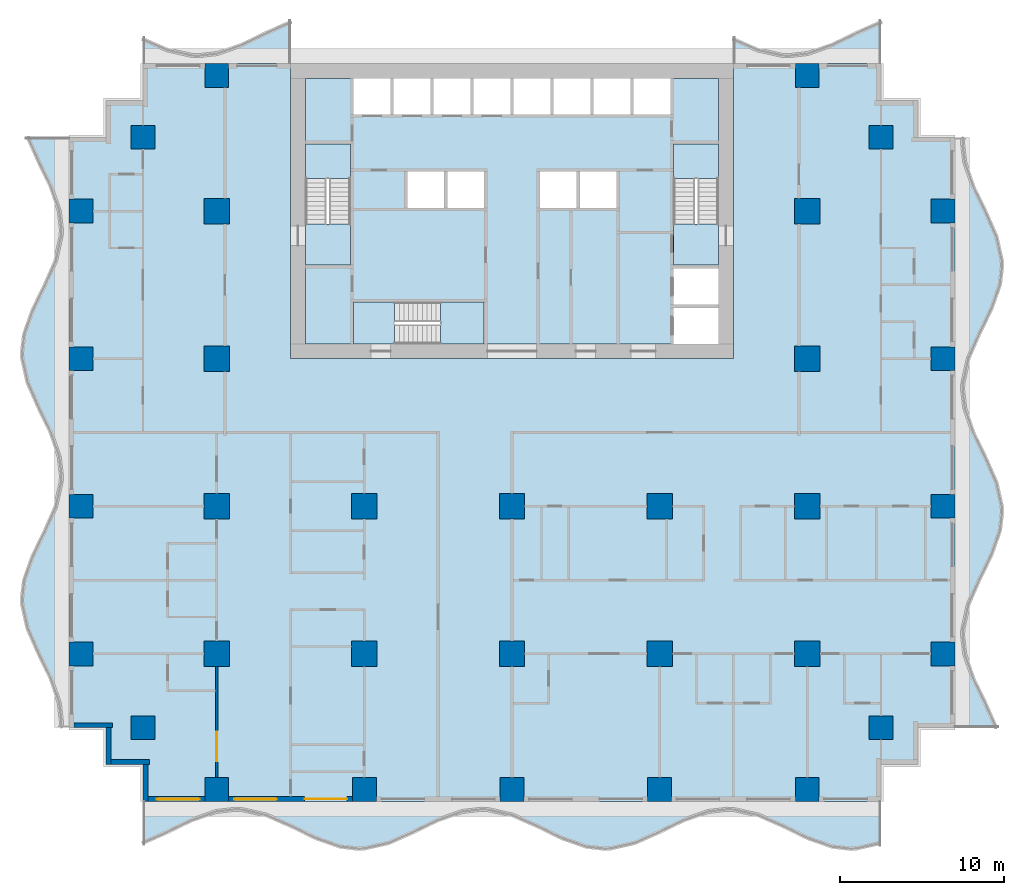
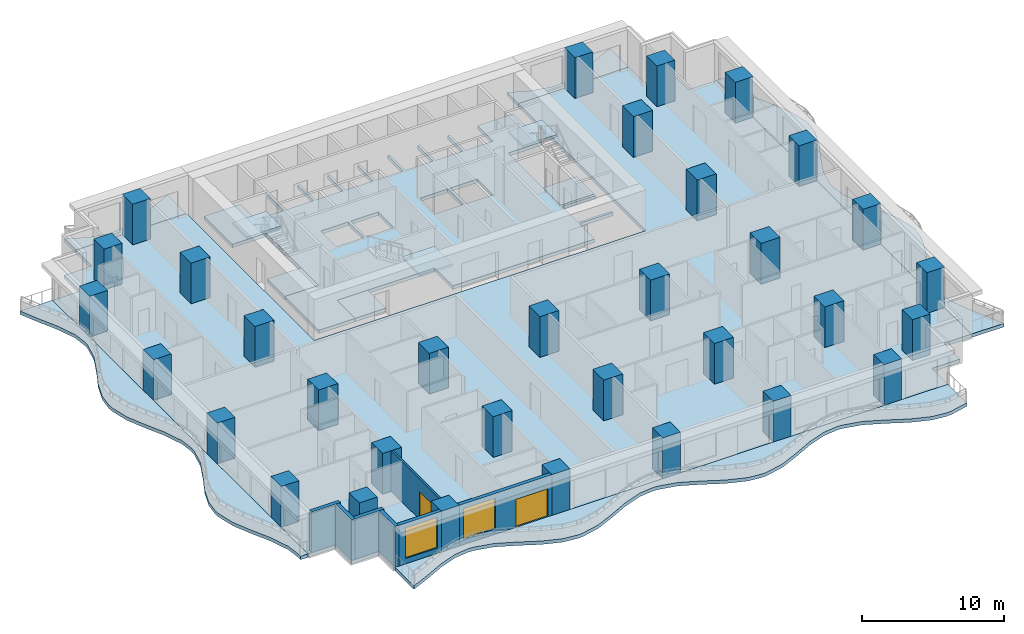
# One storey, part 1 of 14: 33 columns, 13 slabs, 7 walls, 2 doors, 2 windows, 4 openings, 3 elements without a shape of their own.
"""IFC4 building model written with IfcOpenShell, lengths in metres."""

import ifcopenshell
import ifcopenshell.guid

model = None  # the IFC model being written
_history = None  # IfcOwnerHistory: only IFC2X3 demands one
_inside = {}  # id of a spatial element -> (the spatial element, [elements in it])
_under = {}  # id of a project, library or spatial element -> (it, [spatial elements below it])
_declared = {}  # id of a project -> (the project, [libraries it declares])
_typed = {}  # id of a type object -> (the type object, [elements of that type])
_made_of = {}  # id of a material, layer set ... -> (it, [elements and type objects made of it])


def new_model(schema):
    """Start an empty IFC model of exactly this schema.

    Asked for "IFC4X3", IfcOpenShell would pick the latest addendum, in which some entities
    have other attributes; the version numbers below select the first issue.
    IFC2X3 requires an IfcOwnerHistory on every rooted entity: one is made here for all.
    """
    global model, _history
    if schema == "IFC4X3":
        model = ifcopenshell.file(schema_version=(4, 3, 0, 0))
    else:
        model = ifcopenshell.file(schema=schema)
    _inside.clear()
    _under.clear()
    _declared.clear()
    _typed.clear()
    _made_of.clear()
    _history = None
    if model.schema == "IFC2X3":
        org = make("IfcOrganization", Name="unknown")
        user = make(
            "IfcPersonAndOrganization",
            ThePerson=make("IfcPerson", FamilyName="unknown"),
            TheOrganization=org,
        )
        app = make(
            "IfcApplication",
            ApplicationDeveloper=org,
            Version="unknown",
            ApplicationFullName="unknown",
            ApplicationIdentifier="unknown",
        )
        _history = make(
            "IfcOwnerHistory",
            OwningUser=user,
            OwningApplication=app,
            ChangeAction="ADDED",
            CreationDate=0,
        )
    return model


def make(cls, **values):
    """One entity of the class cls with the attributes given. An attribute that is None is left unset."""
    return model.create_entity(
        cls, **{name: value for name, value in values.items() if value is not None}
    )


def rooted(cls, **values):
    """An entity with a GlobalId (a new one), such as an element, a storey or a relation."""
    return make(cls, GlobalId=ifcopenshell.guid.new(), OwnerHistory=_history, **values)


def si_unit(unit_type, name, prefix=None):
    """IfcSIUnit, for example si_unit("LENGTHUNIT", "METRE", prefix="MILLI")."""
    return make("IfcSIUnit", UnitType=unit_type, Prefix=prefix, Name=name)


def assignment(units):
    """IfcUnitAssignment: the units of a project."""
    return None if units is None else make("IfcUnitAssignment", Units=units)


def point(xyz):
    """IfcCartesianPoint."""
    return None if xyz is None else make("IfcCartesianPoint", Coordinates=xyz)


def direction(xyz):
    """IfcDirection."""
    return None if xyz is None else make("IfcDirection", DirectionRatios=xyz)


def frame(location, z_axis=None, x_axis=None):
    """IfcAxis2Placement3D, a coordinate frame: its origin and axes. An axis left out is left unset."""
    return make(
        "IfcAxis2Placement3D",
        Location=point(location),
        Axis=direction(z_axis),
        RefDirection=direction(x_axis),
    )


def frame_2d(location, x_axis=None):
    """IfcAxis2Placement2D, a coordinate frame in the plane: its origin and x axis."""
    return make(
        "IfcAxis2Placement2D", Location=point(location), RefDirection=direction(x_axis)
    )


def origin():
    """The frame at (0, 0, 0) with its axes left unset."""
    return frame((0.0, 0.0, 0.0))


def origin_2d():
    """The frame at (0, 0) in the plane with its x axis left unset."""
    return frame_2d((0.0, 0.0))


def place(relative_to, where):
    """IfcLocalPlacement: puts the frame where relative to a parent placement (None: the world)."""
    return make(
        "IfcLocalPlacement", PlacementRelTo=relative_to, RelativePlacement=where
    )


def context(
    kind, dimensions, precision=None, world=None, true_north=None, identifier=None
):
    """IfcGeometricRepresentationContext, for example the 3D "Model" context."""
    return make(
        "IfcGeometricRepresentationContext",
        ContextIdentifier=identifier,
        ContextType=kind,
        CoordinateSpaceDimension=dimensions,
        Precision=precision,
        WorldCoordinateSystem=world,
        TrueNorth=true_north,
    )


def subcontext(parent, identifier, kind, view, scale=None):
    """IfcGeometricRepresentationSubContext, for example "Body" below "Model"."""
    return make(
        "IfcGeometricRepresentationSubContext",
        ContextIdentifier=identifier,
        ContextType=kind,
        ParentContext=parent,
        TargetScale=scale,
        TargetView=view,
    )


def project(units=None, contexts=None):
    """IfcProject with its units and contexts."""
    return rooted(
        "IfcProject",
        Name="project",
        RepresentationContexts=contexts,
        UnitsInContext=assignment(units),
    )


def spatial(cls, under=None, at=None, **own):
    """A site, building, storey or space (cls), placed at a placement, below another one or the project."""
    s = rooted(cls, ObjectPlacement=at, **own)
    if under is not None:
        _under.setdefault(under.id(), (under, []))[1].append(s)
    return s


def polyline(points):
    """IfcPolyline through the points."""
    return make("IfcPolyline", Points=[point(p) for p in points])


def profile(cls, at=None, kind="AREA", **sizes):
    """A parametric profile (cls). Its sizes go by their IFC names, for example OverallWidth=200.0."""
    return make(cls, ProfileType=kind, Position=at, **sizes)


def rectangle(**sizes):
    """IfcRectangleProfileDef."""
    return profile("IfcRectangleProfileDef", **sizes)


def outline(outer, holes=None, kind="AREA"):
    """IfcArbitraryClosedProfileDef: a profile drawn as a closed curve; with holes, ...WithVoids."""
    if holes is None:
        return make("IfcArbitraryClosedProfileDef", ProfileType=kind, OuterCurve=outer)
    return make(
        "IfcArbitraryProfileDefWithVoids",
        ProfileType=kind,
        OuterCurve=outer,
        InnerCurves=holes,
    )


def extrude(swept, where, along, depth):
    """IfcExtrudedAreaSolid: the profile swept, set in the frame where, extruded along a direction by depth."""
    return make(
        "IfcExtrudedAreaSolid",
        SweptArea=swept,
        Position=where,
        ExtrudedDirection=direction(along),
        Depth=depth,
    )


def shape(context_of_items, identifier, shape_type, items):
    """IfcShapeRepresentation: the items that make up one representation, for example the "Body"."""
    return make(
        "IfcShapeRepresentation",
        ContextOfItems=context_of_items,
        RepresentationIdentifier=identifier,
        RepresentationType=shape_type,
        Items=items,
    )


def material(Name=None, Category=None):
    """IfcMaterial."""
    return make("IfcMaterial", Name=Name, Category=Category)


def layer(
    of_material, thickness, ventilated=None, Name=None, Category=None, Priority=None
):
    """IfcMaterialLayer: one layer of a wall or slab, of a material (None: an air gap)."""
    return make(
        "IfcMaterialLayer",
        Material=of_material,
        LayerThickness=thickness,
        IsVentilated=ventilated,
        Name=Name,
        Category=Category,
        Priority=Priority,
    )


def layer_set(layers, Name=None):
    """IfcMaterialLayerSet."""
    return make("IfcMaterialLayerSet", MaterialLayers=layers, LayerSetName=Name)


def material_profile(
    of_material, cross_section, Name=None, Category=None, Priority=None
):
    """IfcMaterialProfile: a cross section and its material."""
    return make(
        "IfcMaterialProfile",
        Name=Name,
        Material=of_material,
        Profile=cross_section,
        Priority=Priority,
        Category=Category,
    )


def profile_set(profiles, Name=None, composite=None):
    """IfcMaterialProfileSet."""
    return make(
        "IfcMaterialProfileSet",
        Name=Name,
        MaterialProfiles=profiles,
        CompositeProfile=composite,
    )


def made_of(thing, what):
    """Note that an element or type object is made of a material, layer set ...; save() writes the relation."""
    if what is not None:
        _made_of.setdefault(what.id(), (what, []))[1].append(thing)
    return thing


def type_object(cls, material=None, **own):
    """A type object (cls), such as IfcWallType, which elements share."""
    return made_of(rooted(cls, **own), material)


def element(
    cls,
    number,
    at=None,
    inside=None,
    cuts=None,
    type_object=None,
    material=None,
    context=None,
    identifier="Body",
    shape_type=None,
    held_by="IfcProductDefinitionShape",
    body=None,
    shapes=None,
    **own,
):
    """One element of the class cls, such as IfcWall. Its Tag is "e" and its number.

    at: its placement. inside: the storey or other place that contains it. cuts: it is an
    opening in that element (IfcRelVoidsElement). A single representation is given by context,
    identifier, shape_type and body (its items); several are given by shapes. held_by: the class
    of the entity that holds the representations. save() writes the other relations.
    """
    e = rooted(cls, Tag="e%d" % number, ObjectPlacement=at, **own)
    if body is not None:
        shapes = [shape(context, identifier, shape_type, body)]
    if shapes is not None:
        e.Representation = make(held_by, Representations=shapes)
    if inside is not None:
        _inside.setdefault(inside.id(), (inside, []))[1].append(e)
    if cuts is not None:
        rooted(
            "IfcRelVoidsElement", RelatingBuildingElement=cuts, RelatedOpeningElement=e
        )
    if type_object is not None:
        _typed.setdefault(type_object.id(), (type_object, []))[1].append(e)
    return made_of(e, material)


def fill(opening, filler):
    """IfcRelFillsElement: the door or window that sits in an opening."""
    return rooted(
        "IfcRelFillsElement",
        RelatingOpeningElement=opening,
        RelatedBuildingElement=filler,
    )


def aggregate(whole, parts):
    """IfcRelAggregates: a whole, such as a stair, and the parts it consists of."""
    return rooted("IfcRelAggregates", RelatingObject=whole, RelatedObjects=parts)


def save(model, path):
    """Write the relations noted so far, then the file.

    IfcRelAggregates (storeys below a building ...), IfcRelContainedInSpatialStructure (elements
    in a storey), IfcRelDefinesByType, IfcRelAssociatesMaterial and IfcRelDeclares: one each for
    every whole, place, type object, material and project.
    """
    for whole, parts in _under.values():
        aggregate(whole, parts)
    for where, things in _inside.values():
        rooted(
            "IfcRelContainedInSpatialStructure",
            RelatedElements=things,
            RelatingStructure=where,
        )
    for kind, things in _typed.values():
        rooted("IfcRelDefinesByType", RelatedObjects=things, RelatingType=kind)
    for what, things in _made_of.values():
        rooted("IfcRelAssociatesMaterial", RelatedObjects=things, RelatingMaterial=what)
    for by, libraries in _declared.values():
        rooted("IfcRelDeclares", RelatingContext=by, RelatedDefinitions=libraries)
    model.write(path)


model = new_model("IFC4")

# Units and contexts
model_context = context("Model", 3, precision=1e-05, world=origin(), true_north=direction((0.0, 1.0)))
body_context = subcontext(model_context, "Body", "Model", "MODEL_VIEW")
ifc_project = project(units=[si_unit("LENGTHUNIT", "METRE"), si_unit("AREAUNIT", "SQUARE_METRE"), si_unit("VOLUMEUNIT", "CUBIC_METRE"), si_unit("PLANEANGLEUNIT", "RADIAN"), si_unit("MASSUNIT", "GRAM", prefix="KILO")], contexts=[model_context])

# Site, building, storey
site_placement = place(None, origin())
site = spatial("IfcSite", under=ifc_project, at=site_placement, CompositionType="ELEMENT")
building_placement = place(site_placement, origin())
building = spatial("IfcBuilding", under=site, at=building_placement, Name="Orbiselva Terraces", CompositionType="ELEMENT")
storey_placement = place(building_placement, frame((0.0, 0.0, 26.4)))
storey = spatial("IfcBuildingStorey", under=building, at=storey_placement, Name="L06", CompositionType="ELEMENT", Elevation=26.4)

# Columns
ifc_material_1 = material(Name="Concrete C80/95", Category="concrete")
ifc_material_profile_1 = material_profile(ifc_material_1, rectangle(XDim=1.55, YDim=1.55, at=origin_2d()), Name="RC 1550x1550")
ifc_profile_set_1 = profile_set([ifc_material_profile_1], Name="Concrete C80/95")
column_type_1 = type_object("IfcColumnType", Name="COLUMN RC 1550x1550", PredefinedType="COLUMN", material=ifc_profile_set_1)
for number, where, z_axis, x_axis, name in (
    (1, (-18.0, -13.5, 0.0), (0.0, 0.0, 1.0), (1.0, 0.0, 0.0), "Column L06-01"),
    (2, (-18.0, -4.5, 0.0), (0.0, 0.0, 1.0), (1.0, 0.0, 0.0), "Column L06-03"),
    (3, (-18.0, 13.5, 0.0), (0.0, 0.0, 1.0), (1.0, 0.0, 0.0), "Column L06-04"),
    (4, (-18.0, 4.5, 0.0), (0.0, 0.0, 1.0), (1.0, 0.0, 0.0), "Column L06-06"),
    (5, (-9.0, -13.5, 0.0), (0.0, 0.0, 1.0), (1.0, 0.0, 0.0), "Column L06-13"),
    (6, (-9.0, -4.5, 0.0), (0.0, 0.0, 1.0), (1.0, 0.0, 0.0), "Column L06-15"),
    (7, (0.0, -13.5, 0.0), (0.0, 0.0, 1.0), (1.0, 0.0, 0.0), "Column L06-16"),
    (8, (0.0, -4.5, 0.0), (0.0, 0.0, 1.0), (1.0, 0.0, 0.0), "Column L06-18"),
    (9, (18.0, -13.5, 0.0), (0.0, 0.0, 1.0), (1.0, 0.0, 0.0), "Column L06-19"),
    (10, (18.0, -4.5, 0.0), (0.0, 0.0, 1.0), (1.0, 0.0, 0.0), "Column L06-21"),
    (11, (18.0, 13.5, 0.0), (0.0, 0.0, 1.0), (1.0, 0.0, 0.0), "Column L06-22"),
    (12, (18.0, 4.5, 0.0), (0.0, 0.0, 1.0), (1.0, 0.0, 0.0), "Column L06-24"),
    (13, (9.0, -13.5, 0.0), (0.0, 0.0, 1.0), (1.0, 0.0, 0.0), "Column L06-31"),
    (14, (9.0, -4.5, 0.0), (0.0, 0.0, 1.0), (1.0, 0.0, 0.0), "Column L06-33"),
):
    element("IfcColumn", number, at=place(storey_placement, frame(where, z_axis=z_axis, x_axis=x_axis)), inside=storey, type_object=column_type_1, Name=name, PredefinedType="COLUMN", context=body_context, shape_type="SweptSolid", body=[
        extrude(rectangle(XDim=1.55, YDim=1.55, at=origin_2d()), origin(), (0.0, 0.0, 1.0), 3.5),
    ])
ifc_material_2 = material(Name="Concrete C70/85", Category="concrete")
ifc_material_profile_2 = material_profile(ifc_material_2, rectangle(XDim=1.45, YDim=1.45, at=origin_2d()), Name="RC 1450x1450")
ifc_profile_set_2 = profile_set([ifc_material_profile_2], Name="Concrete C70/85")
column_type_2 = type_object("IfcColumnType", Name="PERIMETER COLUMN RC 1450x1450", PredefinedType="COLUMN", material=ifc_profile_set_2)
for number, where, z_axis, x_axis, name in (
    (15, (-18.0, -21.775, 0.0), (0.0, 0.0, 1.0), (1.0, 0.0, 0.0), "Column L06-02"),
    (16, (-18.0, 21.775, 0.0), (0.0, 0.0, 1.0), (1.0, 0.0, 0.0), "Column L06-05"),
    (17, (-26.275, -13.5, 0.0), (0.0, 0.0, 1.0), (1.0, 0.0, 0.0), "Column L06-07"),
    (18, (-22.5, -18.0, 0.0), (0.0, 0.0, 1.0), (1.0, 0.0, 0.0), "Column L06-08"),
    (19, (-26.275, -4.5, 0.0), (0.0, 0.0, 1.0), (1.0, 0.0, 0.0), "Column L06-09"),
    (20, (-26.275, 13.5, 0.0), (0.0, 0.0, 1.0), (1.0, 0.0, 0.0), "Column L06-10"),
    (21, (-22.5, 18.0, 0.0), (0.0, 0.0, 1.0), (1.0, 0.0, 0.0), "Column L06-11"),
    (22, (-26.275, 4.5, 0.0), (0.0, 0.0, 1.0), (1.0, 0.0, 0.0), "Column L06-12"),
    (23, (-9.0, -21.775, 0.0), (0.0, 0.0, 1.0), (1.0, 0.0, 0.0), "Column L06-14"),
    (24, (0.0, -21.775, 0.0), (0.0, 0.0, 1.0), (1.0, 0.0, 0.0), "Column L06-17"),
    (25, (18.0, -21.775, 0.0), (0.0, 0.0, 1.0), (1.0, 0.0, 0.0), "Column L06-20"),
    (26, (18.0, 21.775, 0.0), (0.0, 0.0, 1.0), (1.0, 0.0, 0.0), "Column L06-23"),
    (27, (26.275, -13.5, 0.0), (0.0, 0.0, 1.0), (1.0, 0.0, 0.0), "Column L06-25"),
    (28, (22.5, -18.0, 0.0), (0.0, 0.0, 1.0), (1.0, 0.0, 0.0), "Column L06-26"),
    (29, (26.275, -4.5, 0.0), (0.0, 0.0, 1.0), (1.0, 0.0, 0.0), "Column L06-27"),
    (30, (26.275, 13.5, 0.0), (0.0, 0.0, 1.0), (1.0, 0.0, 0.0), "Column L06-28"),
    (31, (22.5, 18.0, 0.0), (0.0, 0.0, 1.0), (1.0, 0.0, 0.0), "Column L06-29"),
    (32, (26.275, 4.5, 0.0), (0.0, 0.0, 1.0), (1.0, 0.0, 0.0), "Column L06-30"),
    (33, (9.0, -21.775, 0.0), (0.0, 0.0, 1.0), (1.0, 0.0, 0.0), "Column L06-32"),
):
    element("IfcColumn", number, at=place(storey_placement, frame(where, z_axis=z_axis, x_axis=x_axis)), inside=storey, type_object=column_type_2, Name=name, PredefinedType="COLUMN", context=body_context, shape_type="SweptSolid", body=[
        extrude(rectangle(XDim=1.45, YDim=1.45, at=origin_2d()), origin(), (0.0, 0.0, 1.0), 3.5),
    ])

# Slabs
ifc_material_3 = material(Name="Concrete C40/50", Category="concrete")
ifc_layer_1 = layer(ifc_material_3, 0.3)
ifc_layer_set_1 = layer_set([ifc_layer_1], Name="Concrete C40/50")
slab_type_1 = type_object("IfcSlabType", Name="CORE-SLAB-FLOOR-300", PredefinedType="FLOOR", material=ifc_layer_set_1)
slab_1_placement = place(storey_placement, frame((0.0, 0.0, -0.3)))
element("IfcSlab", 34, at=slab_1_placement, inside=storey, type_object=slab_type_1, Name="L06 S1 floor landing", PredefinedType="FLOOR", context=body_context, shape_type="SweptSolid", body=[
    extrude(outline(polyline([(-12.6, 12.7), (-9.85, 12.7), (-9.85, 10.2), (-12.6, 10.2), (-12.6, 12.7)])), origin(), (0.0, 0.0, 1.0), 0.3),
])
slab_2_placement = place(storey_placement, frame((0.0, 0.0, -0.3)))
element("IfcSlab", 35, at=slab_2_placement, inside=storey, type_object=slab_type_1, Name="L06 S2 floor landing", PredefinedType="FLOOR", context=body_context, shape_type="SweptSolid", body=[
    extrude(outline(polyline([(12.6, 12.7), (12.6, 10.2), (9.85, 10.2), (9.85, 12.7), (12.6, 12.7)])), origin(), (0.0, 0.0, 1.0), 0.3),
])
slab_3_placement = place(storey_placement, frame((0.0, 0.0, -0.3)))
element("IfcSlab", 36, at=slab_3_placement, inside=storey, type_object=slab_type_1, Name="L06 S3 floor landing", PredefinedType="FLOOR", context=body_context, shape_type="SweptSolid", body=[
    extrude(outline(polyline([(-7.15, 5.4), (-9.65, 5.4), (-9.65, 7.95), (-7.15, 7.95), (-7.15, 5.4)])), origin(), (0.0, 0.0, 1.0), 0.3),
])
slab_4_placement = place(storey_placement, frame((0.0, 0.0, -0.3)))
element("IfcSlab", 37, at=slab_4_placement, inside=storey, type_object=slab_type_1, Name="L06 core floor slab 1", PredefinedType="FLOOR", context=body_context, shape_type="SweptSolid", body=[
    extrude(outline(polyline([(-1.7, 5.4), (-1.7, 7.95), (-9.65, 7.95), (-9.65, 5.4), (-12.6, 5.4), (-12.6, 10.2), (-9.85, 10.2), (-9.85, 17.6), (-12.6, 17.6), (-12.6, 21.6), (-9.65, 21.6), (-9.65, 19.4), (-7.4125, 19.4), (-7.4125, 21.6), (-7.2125, 21.6), (-7.2125, 19.4), (-4.975, 19.4), (-4.975, 21.6), (-4.775, 21.6), (-4.775, 19.4), (-2.5375, 19.4), (-2.5375, 21.6), (-2.3375, 21.6), (-2.3375, 19.4), (-0.1, 19.4), (-0.1, 21.6), (0.1, 21.6), (0.1, 19.4), (2.3375, 19.4), (2.3375, 21.6), (2.5375, 21.6), (2.5375, 19.4), (4.775, 19.4), (4.775, 21.6), (4.975, 21.6), (4.975, 19.4), (7.2125, 19.4), (7.2125, 21.6), (7.4125, 21.6), (7.4125, 19.4), (9.65, 19.4), (9.65, 21.6), (12.6, 21.6), (12.6, 17.6), (9.85, 17.6), (9.85, 10.2), (12.6, 10.2), (12.6, 10.0), (9.85, 10.0), (9.85, 7.8), (12.6, 7.8), (12.6, 7.6), (9.85, 7.6), (9.85, 5.4), (-1.7, 5.4)]), holes=[polyline([(-4.1375, 13.7), (-4.1375, 15.9), (-6.375, 15.9), (-6.375, 13.7), (-4.1375, 13.7)]), polyline([(-1.7, 13.7), (-1.7, 15.9), (-3.9375, 15.9), (-3.9375, 13.7), (-1.7, 13.7)]), polyline([(3.9375, 13.7), (3.9375, 15.9), (1.7, 15.9), (1.7, 13.7), (3.9375, 13.7)]), polyline([(6.375, 13.7), (6.375, 15.9), (4.1375, 15.9), (4.1375, 13.7), (6.375, 13.7)])]), origin(), (0.0, 0.0, 1.0), 0.3),
])

# Stair, slab
stair_type_1 = type_object("IfcStairType", Name="CORE-STAIR-1300", PredefinedType="HALF_TURN_STAIR", material=ifc_material_3)
stair_1_placement = place(storey_placement, origin())
stair_1 = element("IfcStair", 38, at=stair_1_placement, inside=storey, type_object=stair_type_1, Name="L06 Exit Stair S1", PredefinedType="HALF_TURN_STAIR")
ifc_layer_2 = layer(ifc_material_3, 0.2)
ifc_layer_set_2 = layer_set([ifc_layer_2], Name="Concrete C40/50")
slab_type_2 = type_object("IfcSlabType", Name="CORE-STAIR-LANDING-200", PredefinedType="LANDING", material=ifc_layer_set_2)
slab_5_placement = place(storey_placement, frame((0.0, 0.0, 1.7)))
slab_5 = element("IfcSlab", 39, at=slab_5_placement, type_object=slab_type_2, Name="S1 landing 1", PredefinedType="LANDING", context=body_context, shape_type="SweptSolid", body=[
    extrude(outline(polyline([(-9.85, 15.5), (-9.85, 17.6), (-12.6, 17.6), (-12.6, 15.5), (-9.85, 15.5)])), origin(), (0.0, 0.0, 1.0), 0.2),
])
aggregate(stair_1, [slab_5])

stair_2_placement = place(storey_placement, origin())
stair_2 = element("IfcStair", 40, at=stair_2_placement, inside=storey, type_object=stair_type_1, Name="L06 Exit Stair S2", PredefinedType="HALF_TURN_STAIR")
slab_6_placement = place(storey_placement, frame((0.0, 0.0, 1.7)))
slab_6 = element("IfcSlab", 41, at=slab_6_placement, type_object=slab_type_2, Name="S2 landing 1", PredefinedType="LANDING", context=body_context, shape_type="SweptSolid", body=[
    extrude(outline(polyline([(12.6, 15.5), (12.6, 17.6), (9.85, 17.6), (9.85, 15.5), (12.6, 15.5)])), origin(), (0.0, 0.0, 1.0), 0.2),
])
aggregate(stair_2, [slab_6])

stair_type_2 = type_object("IfcStairType", Name="CORE-STAIR-1200", PredefinedType="HALF_TURN_STAIR", material=ifc_material_3)
stair_3_placement = place(storey_placement, origin())
stair_3 = element("IfcStair", 42, at=stair_3_placement, inside=storey, type_object=stair_type_2, Name="L06 Exit Stair S3", PredefinedType="HALF_TURN_STAIR")
slab_7_placement = place(storey_placement, frame((0.0, 0.0, 1.7)))
slab_7 = element("IfcSlab", 43, at=slab_7_placement, type_object=slab_type_2, Name="S3 landing 1", PredefinedType="LANDING", context=body_context, shape_type="SweptSolid", body=[
    extrude(outline(polyline([(-4.35, 5.4), (-1.7, 5.4), (-1.7, 7.95), (-4.35, 7.95), (-4.35, 5.4)])), origin(), (0.0, 0.0, 1.0), 0.2),
])
aggregate(stair_3, [slab_7])

# Slabs
ifc_material_4 = material(Name="Concrete C50/60", Category="concrete")
ifc_layer_3 = layer(ifc_material_4, 0.3)
ifc_layer_set_3 = layer_set([ifc_layer_3], Name="Concrete C50/60")
slab_type_3 = type_object("IfcSlabType", Name="ENV-BALCONY-SLAB-300", PredefinedType="FLOOR", material=ifc_layer_set_3)
slab_8_placement = place(storey_placement, frame((0.0, 0.0, -0.3)))
element("IfcSlab", 44, at=slab_8_placement, inside=storey, type_object=slab_type_3, Name="Balcony slab L06 S", PredefinedType="FLOOR", context=body_context, shape_type="SweptSolid", body=[
    extrude(outline(polyline([(-22.5, -25.148528), (-21.0, -24.487721), (-19.5, -23.755211), (-18.0, -23.230792), (-16.875, -23.1), (-16.5, -23.114774), (-15.0, -23.451472), (-13.5, -24.112279), (-12.0, -24.844789), (-10.5, -25.369208), (-9.375, -25.5), (-9.0, -25.485226), (-7.5, -25.148528), (-6.0, -24.487721), (-4.5, -23.755211), (-3.0, -23.230792), (-1.875, -23.1), (-1.5, -23.114774), (0.0, -23.451472), (1.5, -24.112279), (3.0, -24.844789), (4.5, -25.369208), (5.625, -25.5), (6.0, -25.485226), (7.5, -25.148528), (9.0, -24.487721), (10.5, -23.755211), (12.0, -23.230792), (13.125, -23.1), (13.5, -23.114774), (15.0, -23.451472), (16.5, -24.112279), (18.0, -24.844789), (19.5, -25.369208), (20.625, -25.5), (21.0, -25.485226), (22.5, -25.148528), (22.5, -22.5), (-22.5, -22.5), (-22.5, -25.148528)])), origin(), (0.0, 0.0, 1.0), 0.3),
])
slab_9_placement = place(storey_placement, frame((0.0, 0.0, -0.3)))
element("IfcSlab", 45, at=slab_9_placement, inside=storey, type_object=slab_type_3, Name="Balcony slab L06 E", PredefinedType="FLOOR", context=body_context, shape_type="SweptSolid", body=[
    extrude(outline(polyline([(29.648528, -18.0), (28.987721, -16.5), (28.255211, -15.0), (27.730792, -13.5), (27.6, -12.375), (27.614774, -12.0), (27.951472, -10.5), (28.612279, -9.0), (29.344789, -7.5), (29.869208, -6.0), (30.0, -4.875), (29.985226, -4.5), (29.648528, -3.0), (28.987721, -1.5), (28.255211, 0.0), (27.730792, 1.5), (27.6, 2.625), (27.614774, 3.0), (27.951472, 4.5), (28.612279, 6.0), (29.344789, 7.5), (29.869208, 9.0), (30.0, 10.125), (29.985226, 10.5), (29.648528, 12.0), (28.987721, 13.5), (28.255211, 15.0), (27.730792, 16.5), (27.6, 17.625), (27.614774, 18.0), (27.0, 18.0), (27.0, -18.0), (29.648528, -18.0)])), origin(), (0.0, 0.0, 1.0), 0.3),
])
slab_10_placement = place(storey_placement, frame((0.0, 0.0, -0.3)))
element("IfcSlab", 46, at=slab_10_placement, inside=storey, type_object=slab_type_3, Name="Balcony slab L06 NE", PredefinedType="FLOOR", context=body_context, shape_type="SweptSolid", body=[
    extrude(outline(polyline([(22.5, 25.148528), (21.0, 24.487721), (19.5, 23.755211), (18.0, 23.230792), (16.875, 23.1), (16.5, 23.114774), (15.0, 23.451472), (13.5, 24.112279), (13.5, 22.5), (22.5, 22.5), (22.5, 25.148528)])), origin(), (0.0, 0.0, 1.0), 0.3),
])
slab_11_placement = place(storey_placement, frame((0.0, 0.0, -0.3)))
element("IfcSlab", 47, at=slab_11_placement, inside=storey, type_object=slab_type_3, Name="Balcony slab L06 NW", PredefinedType="FLOOR", context=body_context, shape_type="SweptSolid", body=[
    extrude(outline(polyline([(-13.5, 25.148528), (-15.0, 24.487721), (-16.5, 23.755211), (-18.0, 23.230792), (-19.125, 23.1), (-19.5, 23.114774), (-21.0, 23.451472), (-22.5, 24.112279), (-22.5, 22.5), (-13.5, 22.5), (-13.5, 25.148528)])), origin(), (0.0, 0.0, 1.0), 0.3),
])
slab_12_placement = place(storey_placement, frame((0.0, 0.0, -0.3)))
element("IfcSlab", 48, at=slab_12_placement, inside=storey, type_object=slab_type_3, Name="Balcony slab L06 W", PredefinedType="FLOOR", context=body_context, shape_type="SweptSolid", body=[
    extrude(outline(polyline([(-29.648528, 18.0), (-28.987721, 16.5), (-28.255211, 15.0), (-27.730792, 13.5), (-27.6, 12.375), (-27.614774, 12.0), (-27.951472, 10.5), (-28.612279, 9.0), (-29.344789, 7.5), (-29.869208, 6.0), (-30.0, 4.875), (-29.985226, 4.5), (-29.648528, 3.0), (-28.987721, 1.5), (-28.255211, 0.0), (-27.730792, -1.5), (-27.6, -2.625), (-27.614774, -3.0), (-27.951472, -4.5), (-28.612279, -6.0), (-29.344789, -7.5), (-29.869208, -9.0), (-30.0, -10.125), (-29.985226, -10.5), (-29.648528, -12.0), (-28.987721, -13.5), (-28.255211, -15.0), (-27.730792, -16.5), (-27.6, -17.625), (-27.614774, -18.0), (-27.0, -18.0), (-27.0, 18.0), (-29.648528, 18.0)])), origin(), (0.0, 0.0, 1.0), 0.3),
])
ifc_layer_4 = layer(ifc_material_4, 0.3)
ifc_layer_set_4 = layer_set([ifc_layer_4], Name="Concrete C50/60")
slab_type_4 = type_object("IfcSlabType", Name="FLOOR SLAB 300", PredefinedType="FLOOR", material=ifc_layer_set_4)
slab_13_placement = place(storey_placement, frame((0.0, 0.0, -0.3)))
element("IfcSlab", 49, at=slab_13_placement, inside=storey, type_object=slab_type_4, Name="Floor slab L06", PredefinedType="FLOOR", context=body_context, shape_type="SweptSolid", body=[
    extrude(outline(polyline([(22.5, 22.5), (22.5, 20.25), (24.75, 20.25), (24.75, 18.0), (27.0, 18.0), (27.0, -18.0), (24.75, -18.0), (24.75, -20.25), (22.5, -20.25), (22.5, -22.5), (-22.5, -22.5), (-22.5, -20.25), (-24.75, -20.25), (-24.75, -18.0), (-27.0, -18.0), (-27.0, 18.0), (-24.75, 18.0), (-24.75, 20.25), (-22.5, 20.25), (-22.5, 22.5), (-13.5, 22.5), (-13.5, 4.5), (13.5, 4.5), (13.5, 22.5), (22.5, 22.5)])), origin(), (0.0, 0.0, 1.0), 0.3),
])

# Wall, opening, window
ifc_material_5 = material(Name="Terracotta cladding on masonry backing", Category="masonry")
ifc_layer_5 = layer(ifc_material_5, 0.3)
ifc_layer_set_5 = layer_set([ifc_layer_5], Name="Terracotta cladding on masonry backing")
wall_type_1 = type_object("IfcWallType", Name="ENV-WALL-TERRACOTTA-300", PredefinedType="SOLIDWALL", material=ifc_layer_set_5)
wall_1_placement = place(storey_placement, frame((-18.725, -22.35, 0.0), z_axis=(0.0, 0.0, 1.0), x_axis=(-1.0, 0.0, 0.0)))
wall_1 = element("IfcWall", 50, at=wall_1_placement, inside=storey, type_object=wall_type_1, Name="Facade wall L06 S", PredefinedType="SOLIDWALL", context=body_context, shape_type="SweptSolid", body=[
    extrude(rectangle(XDim=3.475, YDim=0.3, at=frame_2d((1.7375, 0.0))), origin(), (0.0, 0.0, 1.0), 3.5),
])
opening_1_placement = place(wall_1_placement, frame((0.325, 0.0, 0.45)))
opening_1 = element("IfcOpeningElement", 51, at=opening_1_placement, cuts=wall_1, Name="Opening WN1", PredefinedType="OPENING", context=body_context, shape_type="SweptSolid", body=[
    extrude(rectangle(XDim=2.6, YDim=2.65, at=frame_2d((1.3, 1.325))), frame((0.0, 0.16, 0.0), z_axis=(0.0, -1.0, 0.0), x_axis=(1.0, 0.0, 0.0)), (0.0, 0.0, 1.0), 0.32),
])
ifc_material_6 = material(Name="Clear low-e glazing in aluminium frame", Category="aluminium")
window_type = type_object("IfcWindowType", Name="WINDOW 2600 X 2650 S450", PartitioningType="TRIPLE_PANEL_VERTICAL", PredefinedType="WINDOW", material=ifc_material_6)
window_1_placement = place(opening_1_placement, origin())
window_1 = element("IfcWindow", 52, at=window_1_placement, inside=storey, type_object=window_type, Name="Window L06 S", OverallHeight=2.65, OverallWidth=2.6, PartitioningType="SINGLE_PANEL", PredefinedType="WINDOW", context=body_context, shape_type="SweptSolid", body=[
    extrude(rectangle(XDim=2.6, YDim=2.65, at=frame_2d((1.3, 1.325))), frame((0.0, 0.03, 0.0), z_axis=(0.0, -1.0, 0.0), x_axis=(1.0, 0.0, 0.0)), (0.0, 0.0, 1.0), 0.06),
])
fill(opening_1, window_1)

# Wall, openings, door, window
wall_2_placement = place(storey_placement, frame((-9.725, -22.35, 0.0), z_axis=(0.0, 0.0, 1.0), x_axis=(-1.0, 0.0, 0.0)))
wall_2 = element("IfcWall", 53, at=wall_2_placement, inside=storey, type_object=wall_type_1, Name="Facade wall L06 S", PredefinedType="SOLIDWALL", context=body_context, shape_type="SweptSolid", body=[
    extrude(rectangle(XDim=7.55, YDim=0.3, at=frame_2d((3.775, 0.0))), origin(), (0.0, 0.0, 1.0), 3.5),
])
opening_2_placement = place(wall_2_placement, frame((4.625, 0.0, 0.45)))
opening_2 = element("IfcOpeningElement", 54, at=opening_2_placement, cuts=wall_2, Name="Opening WN1", PredefinedType="OPENING", context=body_context, shape_type="SweptSolid", body=[
    extrude(rectangle(XDim=2.6, YDim=2.65, at=frame_2d((1.3, 1.325))), frame((0.0, 0.16, 0.0), z_axis=(0.0, -1.0, 0.0), x_axis=(1.0, 0.0, 0.0)), (0.0, 0.0, 1.0), 0.32),
])
opening_3_placement = place(wall_2_placement, frame((0.325, 0.0, 0.0)))
opening_3 = element("IfcOpeningElement", 55, at=opening_3_placement, cuts=wall_2, Name="Opening Z1-B-E01", PredefinedType="OPENING", context=body_context, shape_type="SweptSolid", body=[
    extrude(rectangle(XDim=2.6, YDim=2.4, at=frame_2d((1.3, 1.2))), frame((0.0, 0.16, 0.0), z_axis=(0.0, -1.0, 0.0), x_axis=(1.0, 0.0, 0.0)), (0.0, 0.0, 1.0), 0.32),
])
door_type_1 = type_object("IfcDoorType", Name="BALCONY DOOR 2600 X 2400", OperationType="DOUBLE_DOOR_SLIDING", PredefinedType="DOOR", material=ifc_material_6)
door_1_placement = place(opening_3_placement, origin())
door_1 = element("IfcDoor", 56, at=door_1_placement, inside=storey, type_object=door_type_1, Name="Z1-B-E01", OperationType="SINGLE_SWING_LEFT", OverallHeight=2.4, OverallWidth=2.6, PredefinedType="DOOR", context=body_context, shape_type="SweptSolid", body=[
    extrude(rectangle(XDim=2.6, YDim=2.4, at=frame_2d((1.3, 1.2))), frame((0.0, 0.025, 0.0), z_axis=(0.0, -1.0, 0.0), x_axis=(1.0, 0.0, 0.0)), (0.0, 0.0, 1.0), 0.05),
])
fill(opening_3, door_1)
window_2_placement = place(opening_2_placement, origin())
window_2 = element("IfcWindow", 57, at=window_2_placement, inside=storey, type_object=window_type, Name="Window L06 S", OverallHeight=2.65, OverallWidth=2.6, PartitioningType="SINGLE_PANEL", PredefinedType="WINDOW", context=body_context, shape_type="SweptSolid", body=[
    extrude(rectangle(XDim=2.6, YDim=2.65, at=frame_2d((1.3, 1.325))), frame((0.0, 0.03, 0.0), z_axis=(0.0, -1.0, 0.0), x_axis=(1.0, 0.0, 0.0)), (0.0, 0.0, 1.0), 0.06),
])
fill(opening_2, window_2)

# Walls
wall_3_placement = place(storey_placement, frame((-24.35, -17.85, 0.0), z_axis=(0.0, 0.0, 1.0), x_axis=(-1.0, 0.0, 0.0)))
element("IfcWall", 58, at=wall_3_placement, inside=storey, type_object=wall_type_1, Name="Facade wall L06 STEP", PredefinedType="SOLIDWALL", context=body_context, shape_type="SweptSolid", body=[
    extrude(rectangle(XDim=2.35, YDim=0.3, at=frame_2d((1.175, 0.0))), origin(), (0.0, 0.0, 1.0), 3.5),
])
wall_4_placement = place(storey_placement, frame((-24.6, -20.25, 0.0), z_axis=(0.0, 0.0, 1.0), x_axis=(0.0, 1.0, 0.0)))
element("IfcWall", 59, at=wall_4_placement, inside=storey, type_object=wall_type_1, Name="Facade wall L06 STEP", PredefinedType="SOLIDWALL", context=body_context, shape_type="SweptSolid", body=[
    extrude(rectangle(XDim=2.25, YDim=0.3, at=frame_2d((1.125, 0.0))), origin(), (0.0, 0.0, 1.0), 3.5),
])
wall_5_placement = place(storey_placement, frame((-22.1, -20.1, 0.0), z_axis=(0.0, 0.0, 1.0), x_axis=(-1.0, 0.0, 0.0)))
element("IfcWall", 60, at=wall_5_placement, inside=storey, type_object=wall_type_1, Name="Facade wall L06 STEP", PredefinedType="SOLIDWALL", context=body_context, shape_type="SweptSolid", body=[
    extrude(rectangle(XDim=2.35, YDim=0.3, at=frame_2d((1.175, 0.0))), origin(), (0.0, 0.0, 1.0), 3.5),
])
wall_6_placement = place(storey_placement, frame((-22.35, -22.5, 0.0), z_axis=(0.0, 0.0, 1.0), x_axis=(0.0, 1.0, 0.0)))
element("IfcWall", 61, at=wall_6_placement, inside=storey, type_object=wall_type_1, Name="Facade wall L06 STEP", PredefinedType="SOLIDWALL", context=body_context, shape_type="SweptSolid", body=[
    extrude(rectangle(XDim=2.25, YDim=0.3, at=frame_2d((1.125, 0.0))), origin(), (0.0, 0.0, 1.0), 3.5),
])

# Wall, opening, door
ifc_material_7 = material(Name="Plasterboard on steel stud partition", Category="steel")
ifc_layer_6 = layer(ifc_material_7, 0.15)
ifc_layer_set_6 = layer_set([ifc_layer_6], Name="Plasterboard on steel stud partition")
wall_type_2 = type_object("IfcWallType", Name="UNIT-PARTITION-150", PredefinedType="PARTITIONING", material=ifc_layer_set_6)
wall_7_placement = place(storey_placement, frame((-18.0, -21.05, 0.0), z_axis=(0.0, 0.0, 1.0), x_axis=(0.0, 1.0, 0.0)))
wall_7 = element("IfcWall", 62, at=wall_7_placement, inside=storey, type_object=wall_type_2, Name="PARTITION L06-046", PredefinedType="PARTITIONING", context=body_context, shape_type="SweptSolid", body=[
    extrude(rectangle(XDim=6.775, YDim=0.15, at=frame_2d((3.3875, 0.0))), origin(), (0.0, 0.0, 1.0), 3.5),
])
opening_4_placement = place(wall_7_placement, frame((1.0, 0.0, 0.0)))
opening_4 = element("IfcOpeningElement", 63, at=opening_4_placement, cuts=wall_7, Name="Opening Z1-B-21", PredefinedType="OPENING", context=body_context, shape_type="SweptSolid", body=[
    extrude(rectangle(XDim=1.8, YDim=2.4, at=frame_2d((0.9, 1.2))), frame((0.0, 0.085, 0.0), z_axis=(0.0, -1.0, 0.0), x_axis=(1.0, 0.0, 0.0)), (0.0, 0.0, 1.0), 0.17),
])
ifc_material_8 = material(Name="Painted timber door leaf", Category="wood")
door_type_2 = type_object("IfcDoorType", Name="DOUBLE DOOR 1800", OperationType="NOTDEFINED", PredefinedType="DOOR", material=ifc_material_8)
door_2_placement = place(opening_4_placement, origin())
door_2 = element("IfcDoor", 64, at=door_2_placement, inside=storey, type_object=door_type_2, Name="Z1-B-21", OperationType="DOUBLE_DOOR_SINGLE_SWING", OverallHeight=2.4, OverallWidth=1.8, PredefinedType="DOOR", context=body_context, shape_type="SweptSolid", body=[
    extrude(rectangle(XDim=1.8, YDim=2.4, at=frame_2d((0.9, 1.2))), frame((0.0, 0.025, 0.0), z_axis=(0.0, -1.0, 0.0), x_axis=(1.0, 0.0, 0.0)), (0.0, 0.0, 1.0), 0.05),
])
fill(opening_4, door_2)

save(model, "model.ifc")
